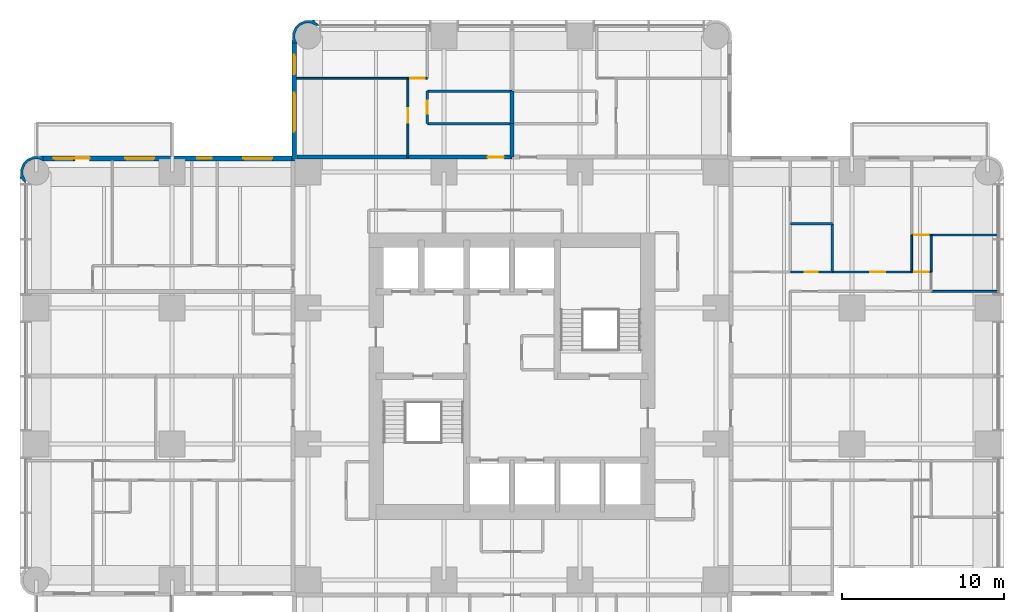
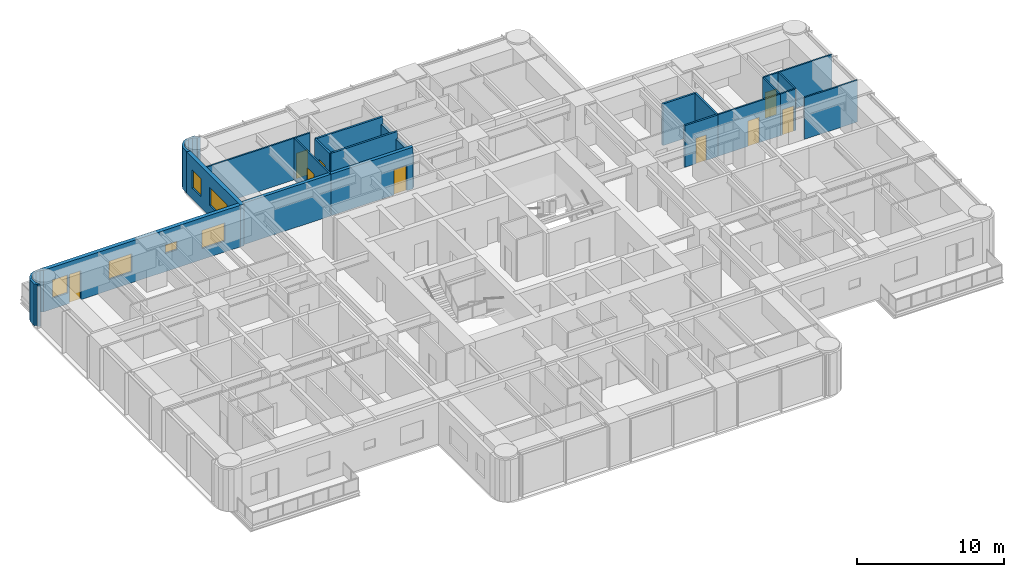
# One storey, part 11 of 15: 24 walls, 9 doors, 6 windows, 15 openings.
"""IFC4 building model written with IfcOpenShell, lengths in metres."""

import ifcopenshell
import ifcopenshell.guid

model = None  # the IFC model being written
_history = None  # IfcOwnerHistory: only IFC2X3 demands one
_inside = {}  # id of a spatial element -> (the spatial element, [elements in it])
_under = {}  # id of a project, library or spatial element -> (it, [spatial elements below it])
_declared = {}  # id of a project -> (the project, [libraries it declares])
_typed = {}  # id of a type object -> (the type object, [elements of that type])
_made_of = {}  # id of a material, layer set ... -> (it, [elements and type objects made of it])


def new_model(schema):
    """Start an empty IFC model of exactly this schema.

    Asked for "IFC4X3", IfcOpenShell would pick the latest addendum, in which some entities
    have other attributes; the version numbers below select the first issue.
    IFC2X3 requires an IfcOwnerHistory on every rooted entity: one is made here for all.
    """
    global model, _history
    if schema == "IFC4X3":
        model = ifcopenshell.file(schema_version=(4, 3, 0, 0))
    else:
        model = ifcopenshell.file(schema=schema)
    _inside.clear()
    _under.clear()
    _declared.clear()
    _typed.clear()
    _made_of.clear()
    _history = None
    if model.schema == "IFC2X3":
        org = make("IfcOrganization", Name="unknown")
        user = make(
            "IfcPersonAndOrganization",
            ThePerson=make("IfcPerson", FamilyName="unknown"),
            TheOrganization=org,
        )
        app = make(
            "IfcApplication",
            ApplicationDeveloper=org,
            Version="unknown",
            ApplicationFullName="unknown",
            ApplicationIdentifier="unknown",
        )
        _history = make(
            "IfcOwnerHistory",
            OwningUser=user,
            OwningApplication=app,
            ChangeAction="ADDED",
            CreationDate=0,
        )
    return model


def make(cls, **values):
    """One entity of the class cls with the attributes given. An attribute that is None is left unset."""
    return model.create_entity(
        cls, **{name: value for name, value in values.items() if value is not None}
    )


def rooted(cls, **values):
    """An entity with a GlobalId (a new one), such as an element, a storey or a relation."""
    return make(cls, GlobalId=ifcopenshell.guid.new(), OwnerHistory=_history, **values)


def si_unit(unit_type, name, prefix=None):
    """IfcSIUnit, for example si_unit("LENGTHUNIT", "METRE", prefix="MILLI")."""
    return make("IfcSIUnit", UnitType=unit_type, Prefix=prefix, Name=name)


def assignment(units):
    """IfcUnitAssignment: the units of a project."""
    return None if units is None else make("IfcUnitAssignment", Units=units)


def point(xyz):
    """IfcCartesianPoint."""
    return None if xyz is None else make("IfcCartesianPoint", Coordinates=xyz)


def direction(xyz):
    """IfcDirection."""
    return None if xyz is None else make("IfcDirection", DirectionRatios=xyz)


def frame(location, z_axis=None, x_axis=None):
    """IfcAxis2Placement3D, a coordinate frame: its origin and axes. An axis left out is left unset."""
    return make(
        "IfcAxis2Placement3D",
        Location=point(location),
        Axis=direction(z_axis),
        RefDirection=direction(x_axis),
    )


def frame_2d(location, x_axis=None):
    """IfcAxis2Placement2D, a coordinate frame in the plane: its origin and x axis."""
    return make(
        "IfcAxis2Placement2D", Location=point(location), RefDirection=direction(x_axis)
    )


def origin():
    """The frame at (0, 0, 0) with its axes left unset."""
    return frame((0.0, 0.0, 0.0))


def place(relative_to, where):
    """IfcLocalPlacement: puts the frame where relative to a parent placement (None: the world)."""
    return make(
        "IfcLocalPlacement", PlacementRelTo=relative_to, RelativePlacement=where
    )


def context(
    kind, dimensions, precision=None, world=None, true_north=None, identifier=None
):
    """IfcGeometricRepresentationContext, for example the 3D "Model" context."""
    return make(
        "IfcGeometricRepresentationContext",
        ContextIdentifier=identifier,
        ContextType=kind,
        CoordinateSpaceDimension=dimensions,
        Precision=precision,
        WorldCoordinateSystem=world,
        TrueNorth=true_north,
    )


def subcontext(parent, identifier, kind, view, scale=None):
    """IfcGeometricRepresentationSubContext, for example "Body" below "Model"."""
    return make(
        "IfcGeometricRepresentationSubContext",
        ContextIdentifier=identifier,
        ContextType=kind,
        ParentContext=parent,
        TargetScale=scale,
        TargetView=view,
    )


def project(units=None, contexts=None):
    """IfcProject with its units and contexts."""
    return rooted(
        "IfcProject",
        Name="project",
        RepresentationContexts=contexts,
        UnitsInContext=assignment(units),
    )


def spatial(cls, under=None, at=None, **own):
    """A site, building, storey or space (cls), placed at a placement, below another one or the project."""
    s = rooted(cls, ObjectPlacement=at, **own)
    if under is not None:
        _under.setdefault(under.id(), (under, []))[1].append(s)
    return s


def polyline(points):
    """IfcPolyline through the points."""
    return make("IfcPolyline", Points=[point(p) for p in points])


def profile(cls, at=None, kind="AREA", **sizes):
    """A parametric profile (cls). Its sizes go by their IFC names, for example OverallWidth=200.0."""
    return make(cls, ProfileType=kind, Position=at, **sizes)


def rectangle(**sizes):
    """IfcRectangleProfileDef."""
    return profile("IfcRectangleProfileDef", **sizes)


def outline(outer, holes=None, kind="AREA"):
    """IfcArbitraryClosedProfileDef: a profile drawn as a closed curve; with holes, ...WithVoids."""
    if holes is None:
        return make("IfcArbitraryClosedProfileDef", ProfileType=kind, OuterCurve=outer)
    return make(
        "IfcArbitraryProfileDefWithVoids",
        ProfileType=kind,
        OuterCurve=outer,
        InnerCurves=holes,
    )


def extrude(swept, where, along, depth):
    """IfcExtrudedAreaSolid: the profile swept, set in the frame where, extruded along a direction by depth."""
    return make(
        "IfcExtrudedAreaSolid",
        SweptArea=swept,
        Position=where,
        ExtrudedDirection=direction(along),
        Depth=depth,
    )


def shape(context_of_items, identifier, shape_type, items):
    """IfcShapeRepresentation: the items that make up one representation, for example the "Body"."""
    return make(
        "IfcShapeRepresentation",
        ContextOfItems=context_of_items,
        RepresentationIdentifier=identifier,
        RepresentationType=shape_type,
        Items=items,
    )


def material(Name=None, Category=None):
    """IfcMaterial."""
    return make("IfcMaterial", Name=Name, Category=Category)


def layer(
    of_material, thickness, ventilated=None, Name=None, Category=None, Priority=None
):
    """IfcMaterialLayer: one layer of a wall or slab, of a material (None: an air gap)."""
    return make(
        "IfcMaterialLayer",
        Material=of_material,
        LayerThickness=thickness,
        IsVentilated=ventilated,
        Name=Name,
        Category=Category,
        Priority=Priority,
    )


def layer_set(layers, Name=None):
    """IfcMaterialLayerSet."""
    return make("IfcMaterialLayerSet", MaterialLayers=layers, LayerSetName=Name)


def made_of(thing, what):
    """Note that an element or type object is made of a material, layer set ...; save() writes the relation."""
    if what is not None:
        _made_of.setdefault(what.id(), (what, []))[1].append(thing)
    return thing


def type_object(cls, material=None, **own):
    """A type object (cls), such as IfcWallType, which elements share."""
    return made_of(rooted(cls, **own), material)


def element(
    cls,
    number,
    at=None,
    inside=None,
    cuts=None,
    type_object=None,
    material=None,
    context=None,
    identifier="Body",
    shape_type=None,
    held_by="IfcProductDefinitionShape",
    body=None,
    shapes=None,
    **own,
):
    """One element of the class cls, such as IfcWall. Its Tag is "e" and its number.

    at: its placement. inside: the storey or other place that contains it. cuts: it is an
    opening in that element (IfcRelVoidsElement). A single representation is given by context,
    identifier, shape_type and body (its items); several are given by shapes. held_by: the class
    of the entity that holds the representations. save() writes the other relations.
    """
    e = rooted(cls, Tag="e%d" % number, ObjectPlacement=at, **own)
    if body is not None:
        shapes = [shape(context, identifier, shape_type, body)]
    if shapes is not None:
        e.Representation = make(held_by, Representations=shapes)
    if inside is not None:
        _inside.setdefault(inside.id(), (inside, []))[1].append(e)
    if cuts is not None:
        rooted(
            "IfcRelVoidsElement", RelatingBuildingElement=cuts, RelatedOpeningElement=e
        )
    if type_object is not None:
        _typed.setdefault(type_object.id(), (type_object, []))[1].append(e)
    return made_of(e, material)


def fill(opening, filler):
    """IfcRelFillsElement: the door or window that sits in an opening."""
    return rooted(
        "IfcRelFillsElement",
        RelatingOpeningElement=opening,
        RelatedBuildingElement=filler,
    )


def aggregate(whole, parts):
    """IfcRelAggregates: a whole, such as a stair, and the parts it consists of."""
    return rooted("IfcRelAggregates", RelatingObject=whole, RelatedObjects=parts)


def save(model, path):
    """Write the relations noted so far, then the file.

    IfcRelAggregates (storeys below a building ...), IfcRelContainedInSpatialStructure (elements
    in a storey), IfcRelDefinesByType, IfcRelAssociatesMaterial and IfcRelDeclares: one each for
    every whole, place, type object, material and project.
    """
    for whole, parts in _under.values():
        aggregate(whole, parts)
    for where, things in _inside.values():
        rooted(
            "IfcRelContainedInSpatialStructure",
            RelatedElements=things,
            RelatingStructure=where,
        )
    for kind, things in _typed.values():
        rooted("IfcRelDefinesByType", RelatedObjects=things, RelatingType=kind)
    for what, things in _made_of.values():
        rooted("IfcRelAssociatesMaterial", RelatedObjects=things, RelatingMaterial=what)
    for by, libraries in _declared.values():
        rooted("IfcRelDeclares", RelatingContext=by, RelatedDefinitions=libraries)
    model.write(path)


model = new_model("IFC4")

# Units and contexts
model_context = context("Model", 3, precision=1e-05, world=origin(), true_north=direction((0.0, 1.0)))
body_context = subcontext(model_context, "Body", "Model", "MODEL_VIEW")
ifc_project = project(units=[si_unit("LENGTHUNIT", "METRE"), si_unit("AREAUNIT", "SQUARE_METRE"), si_unit("VOLUMEUNIT", "CUBIC_METRE"), si_unit("PLANEANGLEUNIT", "RADIAN"), si_unit("MASSUNIT", "GRAM", prefix="KILO")], contexts=[model_context])

# Site, building, storey
site_placement = place(None, origin())
site = spatial("IfcSite", under=ifc_project, at=site_placement, CompositionType="ELEMENT")
building_placement = place(site_placement, origin())
building = spatial("IfcBuilding", under=site, at=building_placement, Name="Torre Alcanfor", CompositionType="ELEMENT")
storey_placement = place(building_placement, frame((0.0, 0.0, 123.300048828125)))
storey = spatial("IfcBuildingStorey", under=building, at=storey_placement, Name="L31", CompositionType="ELEMENT", Elevation=123.300048828125)

# Wall, opening, door
ifc_material_1 = material(Name="Concrete block masonry, hollow blocks NMX-C-404 9 MPa", Category="masonry")
ifc_layer_1 = layer(ifc_material_1, 0.25)
ifc_layer_set_1 = layer_set([ifc_layer_1], Name="Apartment entrance wall 250 EI 60")
wall_type_1 = type_object("IfcWallType", Name="Apartment entrance wall 250 EI 60", PredefinedType="PARTITIONING", material=ifc_layer_set_1)
wall_1_placement = place(storey_placement, frame((22.970947265625, 42.925048828125, 0.0), z_axis=(0.0, 0.0, 1.0), x_axis=(1.0, 0.0, 0.0)))
wall_1 = element("IfcWall", 1, at=wall_1_placement, inside=storey, type_object=wall_type_1, Name="Partition L31-CORR / L31-N1-LIVING", PredefinedType="PARTITIONING", context=body_context, shape_type="SweptSolid", body=[
    extrude(rectangle(XDim=6.428955078125, YDim=0.25, at=frame_2d((3.21435546875, 0.0))), origin(), (0.0, 0.0, 1.0), 3.449951171875),
])
opening_1_placement = place(wall_1_placement, frame((4.928955078125, 0.0, 0.0)))
opening_1 = element("IfcOpeningElement", 2, at=opening_1_placement, cuts=wall_1, Name="Opening D-A1", PredefinedType="OPENING", context=body_context, shape_type="SweptSolid", body=[
    extrude(rectangle(XDim=1.0, YDim=2.10009765625, at=frame_2d((0.5, 1.050048828125))), frame((0.0, 0.135009765625, 0.0), z_axis=(0.0, -1.0, 0.0), x_axis=(1.0, 0.0, 0.0)), (0.0, 0.0, 1.0), 0.27001953125),
])
ifc_material_2 = material(Name="Galvanised steel sheet ASTM A653", Category="steel")
door_type_1 = type_object("IfcDoorType", Name="Apartment entrance door FD60 1000x2100", OperationType="SINGLE_SWING_LEFT", PredefinedType="DOOR", material=ifc_material_2)
door_1_placement = place(opening_1_placement, origin())
door_1 = element("IfcDoor", 3, at=door_1_placement, inside=storey, type_object=door_type_1, Name="Apartment entrance L31-N1", OperationType="SINGLE_SWING_RIGHT", OverallHeight=2.10009765625, OverallWidth=1.0, PredefinedType="DOOR", context=body_context, shape_type="SweptSolid", body=[
    extrude(rectangle(XDim=1.0, YDim=2.10009765625, at=frame_2d((0.5, 1.050048828125))), frame((0.0, 0.02490234375, 0.0), z_axis=(0.0, -1.0, 0.0), x_axis=(1.0, 0.0, 0.0)), (0.0, 0.0, 1.0), 0.050048828125),
])
fill(opening_1, door_1)

# Wall
wall_2_placement = place(storey_placement, frame((16.10009765625, 42.925048828125, 0.0), z_axis=(0.0, 0.0, 1.0), x_axis=(1.0, 0.0, 0.0)))
element("IfcWall", 4, at=wall_2_placement, inside=storey, type_object=wall_type_1, Name="Partition L31-CORR / L31-N1-BED2", PredefinedType="PARTITIONING", context=body_context, shape_type="SweptSolid", body=[
    extrude(rectangle(XDim=6.870849609375, YDim=0.25, at=frame_2d((3.435546875, 0.0))), origin(), (0.0, 0.0, 1.0), 3.449951171875),
])

# Wall, opening, door
ifc_material_3 = material(Name="Gypsum board on steel studs", Category="steel")
ifc_layer_2 = layer(ifc_material_3, 0.1201171875)
ifc_layer_set_2 = layer_set([ifc_layer_2], Name="Apartment partition 120")
wall_type_2 = type_object("IfcWallType", Name="Apartment partition 120", PredefinedType="PARTITIONING", material=ifc_layer_set_2)
wall_3_placement = place(storey_placement, frame((22.970947265625, 42.925048828125, 0.0), z_axis=(0.0, 0.0, 1.0), x_axis=(0.0, 1.0, 0.0)))
wall_3 = element("IfcWall", 5, at=wall_3_placement, inside=storey, type_object=wall_type_2, Name="Partition L31-N1-LIVING / L31-N1-BED2", PredefinedType="PARTITIONING", context=body_context, shape_type="SweptSolid", body=[
    extrude(rectangle(XDim=4.875, YDim=0.1201171875, at=frame_2d((2.4375, 0.0))), origin(), (0.0, 0.0, 1.0), 3.449951171875),
])
opening_2_placement = place(wall_3_placement, frame((2.125, 0.0, 0.0)))
opening_2 = element("IfcOpeningElement", 6, at=opening_2_placement, cuts=wall_3, Name="Opening D-R1", PredefinedType="OPENING", context=body_context, shape_type="SweptSolid", body=[
    extrude(rectangle(XDim=0.89990234375, YDim=2.10009765625, at=frame_2d((0.449951171875, 1.050048828125))), frame((0.0, 0.070068359375, 0.0), z_axis=(0.0, -1.0, 0.0), x_axis=(1.0, 0.0, 0.0)), (0.0, 0.0, 1.0), 0.14013671875),
])
ifc_material_4 = material(Name="Timber", Category="wood")
door_type_2 = type_object("IfcDoorType", Name="Internal door 900x2100", OperationType="SINGLE_SWING_LEFT", PredefinedType="DOOR", material=ifc_material_4)
door_2_placement = place(opening_2_placement, origin())
door_2 = element("IfcDoor", 7, at=door_2_placement, inside=storey, type_object=door_type_2, Name="Door L31-N1 bed2", OperationType="SINGLE_SWING_RIGHT", OverallHeight=2.10009765625, OverallWidth=0.89990234375, PredefinedType="DOOR", context=body_context, shape_type="SweptSolid", body=[
    extrude(rectangle(XDim=0.89990234375, YDim=2.10009765625, at=frame_2d((0.449951171875, 1.050048828125))), frame((0.0, 0.02490234375, 0.0), z_axis=(0.0, -1.0, 0.0), x_axis=(1.0, 0.0, 0.0)), (0.0, 0.0, 1.0), 0.050048828125),
])
fill(opening_2, door_2)

wall_4_placement = place(storey_placement, frame((22.970947265625, 47.800048828125, 0.0), z_axis=(0.0, 0.0, 1.0), x_axis=(1.0, 0.0, 0.0)))
wall_4 = element("IfcWall", 8, at=wall_4_placement, inside=storey, type_object=wall_type_2, Name="Partition L31-N1-LIVING / L31-N1-MASTER", PredefinedType="PARTITIONING", context=body_context, shape_type="SweptSolid", body=[
    extrude(rectangle(XDim=1.199951171875, YDim=0.1201171875, at=frame_2d((0.60009765625, 0.0))), origin(), (0.0, 0.0, 1.0), 3.449951171875),
])
opening_3_placement = place(wall_4_placement, frame((0.14892578125, 0.0, 0.0)))
opening_3 = element("IfcOpeningElement", 9, at=opening_3_placement, cuts=wall_4, Name="Opening D-R1", PredefinedType="OPENING", context=body_context, shape_type="SweptSolid", body=[
    extrude(rectangle(XDim=0.89990234375, YDim=2.10009765625, at=frame_2d((0.449951171875, 1.050048828125))), frame((0.0, 0.070068359375, 0.0), z_axis=(0.0, -1.0, 0.0), x_axis=(1.0, 0.0, 0.0)), (0.0, 0.0, 1.0), 0.14013671875),
])
door_3_placement = place(opening_3_placement, origin())
door_3 = element("IfcDoor", 10, at=door_3_placement, inside=storey, type_object=door_type_2, Name="Door L31-N1 master", OperationType="SINGLE_SWING_RIGHT", OverallHeight=2.10009765625, OverallWidth=0.89990234375, PredefinedType="DOOR", context=body_context, shape_type="SweptSolid", body=[
    extrude(rectangle(XDim=0.89990234375, YDim=2.10009765625, at=frame_2d((0.449951171875, 1.050048828125))), frame((0.0, 0.02490234375, 0.0), z_axis=(0.0, -1.0, 0.0), x_axis=(1.0, 0.0, 0.0)), (0.0, 0.0, 1.0), 0.050048828125),
])
fill(opening_3, door_3)

# Walls
wall_5_placement = place(storey_placement, frame((22.970947265625, 47.800048828125, 0.0), z_axis=(0.0, 0.0, 1.0), x_axis=(-1.0, 0.0, 0.0)))
element("IfcWall", 11, at=wall_5_placement, inside=storey, type_object=wall_type_2, Name="Partition L31-N1-BED2 / L31-N1-MASTER", PredefinedType="PARTITIONING", context=body_context, shape_type="SweptSolid", body=[
    extrude(rectangle(XDim=6.870849609375, YDim=0.1201171875, at=frame_2d((3.435546875, 0.0))), origin(), (0.0, 0.0, 1.0), 3.449951171875),
])
wall_6_placement = place(storey_placement, frame((59.449951171875, 34.62890625, 0.0), z_axis=(0.0, 0.0, 1.0), x_axis=(-1.0, 0.0, 0.0)))
element("IfcWall", 12, at=wall_6_placement, inside=storey, type_object=wall_type_2, Name="Partition L31-E1-LIVING / L31-E1-BED2", PredefinedType="PARTITIONING", context=body_context, shape_type="SweptSolid", body=[
    extrude(rectangle(XDim=4.14990234375, YDim=0.1201171875, at=frame_2d((2.074951171875, 0.0))), origin(), (0.0, 0.0, 1.0), 3.449951171875),
])

# Wall, opening, door
wall_7_placement = place(storey_placement, frame((54.10009765625, 35.8291015625, 0.0), z_axis=(0.0, 0.0, 1.0), x_axis=(-1.0, 0.0, 0.0)))
wall_7 = element("IfcWall", 13, at=wall_7_placement, inside=storey, type_object=wall_type_2, Name="Partition L31-E1-HALL / L31-E1-BED3", PredefinedType="PARTITIONING", context=body_context, shape_type="SweptSolid", body=[
    extrude(rectangle(XDim=4.900146484375, YDim=0.1201171875, at=frame_2d((2.4501953125, 0.0))), origin(), (0.0, 0.0, 1.0), 3.449951171875),
])
opening_4_placement = place(wall_7_placement, frame((1.64990234375, 0.0, 0.0)))
opening_4 = element("IfcOpeningElement", 14, at=opening_4_placement, cuts=wall_7, Name="Opening D-R1", PredefinedType="OPENING", context=body_context, shape_type="SweptSolid", body=[
    extrude(rectangle(XDim=0.89990234375, YDim=2.10009765625, at=frame_2d((0.449951171875, 1.050048828125))), frame((0.0, 0.070068359375, 0.0), z_axis=(0.0, -1.0, 0.0), x_axis=(1.0, 0.0, 0.0)), (0.0, 0.0, 1.0), 0.14013671875),
])
door_4_placement = place(opening_4_placement, frame((0.89990234375, 0.0, 0.0), z_axis=(0.0, 0.0, 1.0), x_axis=(-1.0, 0.0, 0.0)))
door_4 = element("IfcDoor", 15, at=door_4_placement, inside=storey, type_object=door_type_2, Name="Door L31-E1 bed3", OperationType="SINGLE_SWING_RIGHT", OverallHeight=2.10009765625, OverallWidth=0.89990234375, PredefinedType="DOOR", context=body_context, shape_type="SweptSolid", body=[
    extrude(rectangle(XDim=0.89990234375, YDim=2.10009765625, at=frame_2d((0.449951171875, 1.050048828125))), frame((0.0, 0.025146484375, 0.0), z_axis=(0.0, -1.0, 0.0), x_axis=(1.0, 0.0, 0.0)), (0.0, 0.0, 1.0), 0.050048828125),
])
fill(opening_4, door_4)

wall_8_placement = place(storey_placement, frame((55.300048828125, 35.8291015625, 0.0), z_axis=(0.0, 0.0, 1.0), x_axis=(-1.0, 0.0, 0.0)))
wall_8 = element("IfcWall", 16, at=wall_8_placement, inside=storey, type_object=wall_type_2, Name="Partition L31-E1-HALL / L31-E1-VEST", PredefinedType="PARTITIONING", context=body_context, shape_type="SweptSolid", body=[
    extrude(rectangle(XDim=1.199951171875, YDim=0.1201171875, at=frame_2d((0.60009765625, 0.0))), origin(), (0.0, 0.0, 1.0), 3.449951171875),
])
opening_5_placement = place(wall_8_placement, frame((0.14990234375, 0.0, 0.0)))
opening_5 = element("IfcOpeningElement", 17, at=opening_5_placement, cuts=wall_8, Name="Opening D-R1", PredefinedType="OPENING", context=body_context, shape_type="SweptSolid", body=[
    extrude(rectangle(XDim=0.89990234375, YDim=2.10009765625, at=frame_2d((0.449951171875, 1.050048828125))), frame((0.0, 0.070068359375, 0.0), z_axis=(0.0, -1.0, 0.0), x_axis=(1.0, 0.0, 0.0)), (0.0, 0.0, 1.0), 0.14013671875),
])
door_5_placement = place(opening_5_placement, frame((0.89990234375, 0.0, 0.0), z_axis=(0.0, 0.0, 1.0), x_axis=(-1.0, 0.0, 0.0)))
door_5 = element("IfcDoor", 18, at=door_5_placement, inside=storey, type_object=door_type_2, Name="Door L31-E1 vest", OperationType="SINGLE_SWING_RIGHT", OverallHeight=2.10009765625, OverallWidth=0.89990234375, PredefinedType="DOOR", context=body_context, shape_type="SweptSolid", body=[
    extrude(rectangle(XDim=0.89990234375, YDim=2.10009765625, at=frame_2d((0.449951171875, 1.050048828125))), frame((0.0, 0.025146484375, 0.0), z_axis=(0.0, -1.0, 0.0), x_axis=(1.0, 0.0, 0.0)), (0.0, 0.0, 1.0), 0.050048828125),
])
fill(opening_5, door_5)

# Walls
for number, where, z_axis, x_axis, name in (
    (19, (54.10009765625, 35.8291015625, 0.0), (0.0, 0.0, 1.0), (0.0, 1.0, 0.0), "Partition L31-E1-BED3 / L31-E1-VEST"),
    (20, (55.300048828125, 35.8291015625, 0.0), (0.0, 0.0, 1.0), (0.0, 1.0, 0.0), "Partition L31-E1-VEST / L31-E1-BED2"),
):
    element("IfcWall", number, at=place(storey_placement, frame(where, z_axis=z_axis, x_axis=x_axis)), inside=storey, type_object=wall_type_2, Name=name, PredefinedType="PARTITIONING", context=body_context, shape_type="SweptSolid", body=[
        extrude(rectangle(XDim=2.284912109375, YDim=0.1201171875, at=frame_2d((1.142578125, 0.0))), origin(), (0.0, 0.0, 1.0), 3.449951171875),
    ])

# Wall, opening, door
wall_9_placement = place(storey_placement, frame((55.300048828125, 38.114013671875, 0.0), z_axis=(0.0, 0.0, 1.0), x_axis=(-1.0, 0.0, 0.0)))
wall_9 = element("IfcWall", 21, at=wall_9_placement, inside=storey, type_object=wall_type_2, Name="Partition L31-E1-VEST / L31-E1-MASTER", PredefinedType="PARTITIONING", context=body_context, shape_type="SweptSolid", body=[
    extrude(rectangle(XDim=1.199951171875, YDim=0.1201171875, at=frame_2d((0.60009765625, 0.0))), origin(), (0.0, 0.0, 1.0), 3.449951171875),
])
opening_6_placement = place(wall_9_placement, frame((0.14990234375, 0.0, 0.0)))
opening_6 = element("IfcOpeningElement", 22, at=opening_6_placement, cuts=wall_9, Name="Opening D-R1", PredefinedType="OPENING", context=body_context, shape_type="SweptSolid", body=[
    extrude(rectangle(XDim=0.89990234375, YDim=2.10009765625, at=frame_2d((0.449951171875, 1.050048828125))), frame((0.0, 0.070068359375, 0.0), z_axis=(0.0, -1.0, 0.0), x_axis=(1.0, 0.0, 0.0)), (0.0, 0.0, 1.0), 0.14013671875),
])
door_6_placement = place(opening_6_placement, origin())
door_6 = element("IfcDoor", 23, at=door_6_placement, inside=storey, type_object=door_type_2, Name="Door L31-E1 master", OperationType="SINGLE_SWING_LEFT", OverallHeight=2.10009765625, OverallWidth=0.89990234375, PredefinedType="DOOR", context=body_context, shape_type="SweptSolid", body=[
    extrude(rectangle(XDim=0.89990234375, YDim=2.10009765625, at=frame_2d((0.449951171875, 1.050048828125))), frame((0.0, 0.02490234375, 0.0), z_axis=(0.0, -1.0, 0.0), x_axis=(1.0, 0.0, 0.0)), (0.0, 0.0, 1.0), 0.050048828125),
])
fill(opening_6, door_6)

# Wall
wall_10_placement = place(storey_placement, frame((59.449951171875, 38.114013671875, 0.0), z_axis=(0.0, 0.0, 1.0), x_axis=(-1.0, 0.0, 0.0)))
element("IfcWall", 24, at=wall_10_placement, inside=storey, type_object=wall_type_2, Name="Partition L31-E1-BED2 / L31-E1-MASTER", PredefinedType="PARTITIONING", context=body_context, shape_type="SweptSolid", body=[
    extrude(rectangle(XDim=4.14990234375, YDim=0.1201171875, at=frame_2d((2.074951171875, 0.0))), origin(), (0.0, 0.0, 1.0), 3.449951171875),
])

# Wall, openings, door, windows
ifc_material_5 = material(Name="Limestone cladding", Category="masonry")
ifc_layer_3 = layer(ifc_material_5, 0.0400390625, Name="Facing")
ifc_material_6 = material(Name="Ventilated air cavity")
ifc_layer_4 = layer(ifc_material_6, 0.02001953125, ventilated=True, Name="Ventilated joint")
ifc_material_7 = material(Name="Mineral wool insulation", Category="insulation")
ifc_layer_5 = layer(ifc_material_7, 0.10009765625, Name="Insulation")
ifc_material_8 = material(Name="Concrete f'c 35 MPa", Category="concrete")
ifc_layer_6 = layer(ifc_material_8, 0.139892578125, Name="Backing")
ifc_layer_set_3 = layer_set([ifc_layer_3, ifc_layer_4, ifc_layer_5, ifc_layer_6], Name="External wall stone-clad 300")
wall_type_3 = type_object("IfcWallType", Name="External wall stone-clad 300", PredefinedType="SOLIDWALL", material=ifc_layer_set_3)
wall_11_placement = place(storey_placement, frame((15.800048828125, 42.85009765625, 0.0), z_axis=(0.0, 0.0, 1.0), x_axis=(-1.0, 0.0, 0.0)))
wall_11 = element("IfcWall", 25, at=wall_11_placement, inside=storey, type_object=wall_type_3, Name="External wall L31 1", PredefinedType="SOLIDWALL", context=body_context, shape_type="SweptSolid", body=[
    extrude(rectangle(XDim=15.400146484375, YDim=0.300048828125, at=frame_2d((7.7001953125, 0.0))), origin(), (0.0, 0.0, 1.0), 3.449951171875),
])
opening_7_placement = place(wall_11_placement, frame((1.199951171875, 0.0, 0.89990234375)))
opening_7 = element("IfcOpeningElement", 26, at=opening_7_placement, cuts=wall_11, Name="Opening W2", PredefinedType="OPENING", context=body_context, shape_type="SweptSolid", body=[
    extrude(rectangle(XDim=1.800048828125, YDim=1.5, at=frame_2d((0.89990234375, 0.75))), frame((0.0, 0.159912109375, 0.0), z_axis=(0.0, -1.0, 0.0), x_axis=(1.0, 0.0, 0.0)), (0.0, 0.0, 1.0), 0.320068359375),
])
opening_8_placement = place(wall_11_placement, frame((4.949951171875, 0.0, 1.5)))
opening_8 = element("IfcOpeningElement", 27, at=opening_8_placement, cuts=wall_11, Name="Opening W3", PredefinedType="OPENING", context=body_context, shape_type="SweptSolid", body=[
    extrude(rectangle(XDim=0.89990234375, YDim=0.699951171875, at=frame_2d((0.449951171875, 0.35009765625))), frame((0.0, 0.159912109375, 0.0), z_axis=(0.0, -1.0, 0.0), x_axis=(1.0, 0.0, 0.0)), (0.0, 0.0, 1.0), 0.320068359375),
])
opening_9_placement = place(wall_11_placement, frame((8.5, 0.0, 0.89990234375)))
opening_9 = element("IfcOpeningElement", 28, at=opening_9_placement, cuts=wall_11, Name="Opening W2", PredefinedType="OPENING", context=body_context, shape_type="SweptSolid", body=[
    extrude(rectangle(XDim=1.800048828125, YDim=1.5, at=frame_2d((0.89990234375, 0.75))), frame((0.0, 0.159912109375, 0.0), z_axis=(0.0, -1.0, 0.0), x_axis=(1.0, 0.0, 0.0)), (0.0, 0.0, 1.0), 0.320068359375),
])
opening_10_placement = place(wall_11_placement, frame((12.5, 0.0, 0.0)))
opening_10 = element("IfcOpeningElement", 29, at=opening_10_placement, cuts=wall_11, Name="Opening D-B1", PredefinedType="OPENING", context=body_context, shape_type="SweptSolid", body=[
    extrude(rectangle(XDim=0.89990234375, YDim=2.39990234375, at=frame_2d((0.449951171875, 1.199951171875))), frame((0.0, 0.159912109375, 0.0), z_axis=(0.0, -1.0, 0.0), x_axis=(1.0, 0.0, 0.0)), (0.0, 0.0, 1.0), 0.320068359375),
])
opening_11_placement = place(wall_11_placement, frame((13.5, 0.0, 0.89990234375)))
opening_11 = element("IfcOpeningElement", 30, at=opening_11_placement, cuts=wall_11, Name="Opening W4", PredefinedType="OPENING", context=body_context, shape_type="SweptSolid", body=[
    extrude(rectangle(XDim=1.199951171875, YDim=1.5, at=frame_2d((0.60009765625, 0.75))), frame((0.0, 0.159912109375, 0.0), z_axis=(0.0, -1.0, 0.0), x_axis=(1.0, 0.0, 0.0)), (0.0, 0.0, 1.0), 0.320068359375),
])
ifc_material_9 = material(Name="Aluminium and glass", Category="aluminium")
door_type_3 = type_object("IfcDoorType", Name="Balcony door glazed 900x2400", OperationType="SINGLE_SWING_LEFT", PredefinedType="DOOR", material=ifc_material_9)
door_7_placement = place(opening_10_placement, origin())
door_7 = element("IfcDoor", 31, at=door_7_placement, inside=storey, type_object=door_type_3, Name="Balcony door L31-W2", OperationType="SINGLE_SWING_LEFT", OverallHeight=2.39990234375, OverallWidth=0.89990234375, PredefinedType="DOOR", context=body_context, shape_type="SweptSolid", body=[
    extrude(rectangle(XDim=0.89990234375, YDim=2.39990234375, at=frame_2d((0.449951171875, 1.199951171875))), frame((0.0, 0.02490234375, 0.0), z_axis=(0.0, -1.0, 0.0), x_axis=(1.0, 0.0, 0.0)), (0.0, 0.0, 1.0), 0.050048828125),
])
fill(opening_10, door_7)
ifc_material_10 = material(Name="Aluminium frame with clear double glazing", Category="aluminium")
window_type_1 = type_object("IfcWindowType", Name="Window bathroom 900x700", PartitioningType="SINGLE_PANEL", PredefinedType="WINDOW", material=ifc_material_10)
window_1_placement = place(opening_8_placement, origin())
window_1 = element("IfcWindow", 32, at=window_1_placement, inside=storey, type_object=window_type_1, Name="Window W3 L31-W2", OverallHeight=0.699951171875, OverallWidth=0.89990234375, PartitioningType="SINGLE_PANEL", PredefinedType="WINDOW", context=body_context, shape_type="SweptSolid", body=[
    extrude(rectangle(XDim=0.89990234375, YDim=0.699951171875, at=frame_2d((0.449951171875, 0.35009765625))), frame((0.0, 0.030029296875, 0.0), z_axis=(0.0, -1.0, 0.0), x_axis=(1.0, 0.0, 0.0)), (0.0, 0.0, 1.0), 0.06005859375),
])
fill(opening_8, window_1)
ifc_material_11 = material(Name="Aluminium frame with clear double glazing", Category="aluminium")
window_type_2 = type_object("IfcWindowType", Name="Window bedroom 1200x1500", PartitioningType="SINGLE_PANEL", PredefinedType="WINDOW", material=ifc_material_11)
window_2_placement = place(opening_11_placement, origin())
window_2 = element("IfcWindow", 33, at=window_2_placement, inside=storey, type_object=window_type_2, Name="Window W4 L31-W2", OverallHeight=1.5, OverallWidth=1.199951171875, PartitioningType="SINGLE_PANEL", PredefinedType="WINDOW", context=body_context, shape_type="SweptSolid", body=[
    extrude(rectangle(XDim=1.199951171875, YDim=1.5, at=frame_2d((0.60009765625, 0.75))), frame((0.0, 0.030029296875, 0.0), z_axis=(0.0, -1.0, 0.0), x_axis=(1.0, 0.0, 0.0)), (0.0, 0.0, 1.0), 0.06005859375),
])
fill(opening_11, window_2)
ifc_material_12 = material(Name="Aluminium frame with clear double glazing", Category="aluminium")
window_type_3 = type_object("IfcWindowType", Name="Window bedroom 1800x1500", PartitioningType="SINGLE_PANEL", PredefinedType="WINDOW", material=ifc_material_12)
window_3_placement = place(opening_7_placement, origin())
window_3 = element("IfcWindow", 34, at=window_3_placement, inside=storey, type_object=window_type_3, Name="Window W2 L31-W2", OverallHeight=1.5, OverallWidth=1.800048828125, PartitioningType="SINGLE_PANEL", PredefinedType="WINDOW", context=body_context, shape_type="SweptSolid", body=[
    extrude(rectangle(XDim=1.800048828125, YDim=1.5, at=frame_2d((0.89990234375, 0.75))), frame((0.0, 0.030029296875, 0.0), z_axis=(0.0, -1.0, 0.0), x_axis=(1.0, 0.0, 0.0)), (0.0, 0.0, 1.0), 0.06005859375),
])
fill(opening_7, window_3)
window_4_placement = place(opening_9_placement, origin())
window_4 = element("IfcWindow", 35, at=window_4_placement, inside=storey, type_object=window_type_3, Name="Window W2 L31-W2", OverallHeight=1.5, OverallWidth=1.800048828125, PartitioningType="SINGLE_PANEL", PredefinedType="WINDOW", context=body_context, shape_type="SweptSolid", body=[
    extrude(rectangle(XDim=1.800048828125, YDim=1.5, at=frame_2d((0.89990234375, 0.75))), frame((0.0, 0.030029296875, 0.0), z_axis=(0.0, -1.0, 0.0), x_axis=(1.0, 0.0, 0.0)), (0.0, 0.0, 1.0), 0.06005859375),
])
fill(opening_9, window_4)

# Wall, openings, windows
wall_12_placement = place(storey_placement, frame((15.949951171875, 50.0, 0.0), z_axis=(0.0, 0.0, 1.0), x_axis=(0.0, -1.0, 0.0)))
wall_12 = element("IfcWall", 36, at=wall_12_placement, inside=storey, type_object=wall_type_3, Name="External wall L31 12", PredefinedType="SOLIDWALL", context=body_context, shape_type="SweptSolid", body=[
    extrude(rectangle(XDim=7.300048828125, YDim=0.300048828125, at=frame_2d((3.64990234375, 0.0))), origin(), (0.0, 0.0, 1.0), 3.449951171875),
])
opening_12_placement = place(wall_12_placement, frame((3.10009765625, 0.0, 0.89990234375)))
opening_12 = element("IfcOpeningElement", 37, at=opening_12_placement, cuts=wall_12, Name="Opening W1", PredefinedType="OPENING", context=body_context, shape_type="SweptSolid", body=[
    extrude(rectangle(XDim=2.39990234375, YDim=1.5, at=frame_2d((1.199951171875, 0.75))), frame((0.0, 0.159912109375, 0.0), z_axis=(0.0, -1.0, 0.0), x_axis=(1.0, 0.0, 0.0)), (0.0, 0.0, 1.0), 0.320068359375),
])
opening_13_placement = place(wall_12_placement, frame((0.75, 0.0, 0.89990234375)))
opening_13 = element("IfcOpeningElement", 38, at=opening_13_placement, cuts=wall_12, Name="Opening W4", PredefinedType="OPENING", context=body_context, shape_type="SweptSolid", body=[
    extrude(rectangle(XDim=1.199951171875, YDim=1.5, at=frame_2d((0.60009765625, 0.75))), frame((0.0, 0.159912109375, 0.0), z_axis=(0.0, -1.0, 0.0), x_axis=(1.0, 0.0, 0.0)), (0.0, 0.0, 1.0), 0.320068359375),
])
window_5_placement = place(opening_13_placement, origin())
window_5 = element("IfcWindow", 39, at=window_5_placement, inside=storey, type_object=window_type_2, Name="Window W4 L31-N1", OverallHeight=1.5, OverallWidth=1.199951171875, PartitioningType="SINGLE_PANEL", PredefinedType="WINDOW", context=body_context, shape_type="SweptSolid", body=[
    extrude(rectangle(XDim=1.199951171875, YDim=1.5, at=frame_2d((0.60009765625, 0.75))), frame((0.0, 0.030029296875, 0.0), z_axis=(0.0, -1.0, 0.0), x_axis=(1.0, 0.0, 0.0)), (0.0, 0.0, 1.0), 0.06005859375),
])
fill(opening_13, window_5)
ifc_material_13 = material(Name="Aluminium frame with clear double glazing", Category="aluminium")
window_type_4 = type_object("IfcWindowType", Name="Window bedroom 2400x1500", PartitioningType="SINGLE_PANEL", PredefinedType="WINDOW", material=ifc_material_13)
window_6_placement = place(opening_12_placement, origin())
window_6 = element("IfcWindow", 40, at=window_6_placement, inside=storey, type_object=window_type_4, Name="Window W1 L31-N1", OverallHeight=1.5, OverallWidth=2.39990234375, PartitioningType="SINGLE_PANEL", PredefinedType="WINDOW", context=body_context, shape_type="SweptSolid", body=[
    extrude(rectangle(XDim=2.39990234375, YDim=1.5, at=frame_2d((1.199951171875, 0.75))), frame((0.0, 0.030029296875, 0.0), z_axis=(0.0, -1.0, 0.0), x_axis=(1.0, 0.0, 0.0)), (0.0, 0.0, 1.0), 0.06005859375),
])
fill(opening_12, window_6)

# Walls
ifc_material_14 = material(Name="Concrete block masonry, hollow blocks NMX-C-404 9 MPa", Category="masonry")
ifc_layer_7 = layer(ifc_material_14, 0.25)
ifc_layer_set_4 = layer_set([ifc_layer_7], Name="Party wall 250 EI 60")
wall_type_4 = type_object("IfcWallType", Name="Party wall 250 EI 60", PredefinedType="PARTITIONING", material=ifc_layer_set_4)
wall_13_placement = place(storey_placement, frame((29.39990234375, 45.0, 0.0), z_axis=(0.0, 0.0, 1.0), x_axis=(0.0, 1.0, 0.0)))
element("IfcWall", 41, at=wall_13_placement, inside=storey, type_object=wall_type_4, Name="Partition L31-N1-BATH / L31-N2-BATH", PredefinedType="PARTITIONING", context=body_context, shape_type="SweptSolid", body=[
    extrude(rectangle(XDim=2.0, YDim=0.25, at=frame_2d((1.0, 0.0))), origin(), (0.0, 0.0, 1.0), 2.847900390625),
])
wall_14_placement = place(storey_placement, frame((29.39990234375, 45.0, 0.0), z_axis=(0.0, 0.0, 1.0), x_axis=(0.0, -1.0, 0.0)))
element("IfcWall", 42, at=wall_14_placement, inside=storey, type_object=wall_type_4, Name="Partition L31-N1-LIVING / L31-N2-LIVING", PredefinedType="PARTITIONING", context=body_context, shape_type="SweptSolid", body=[
    extrude(rectangle(XDim=2.074951171875, YDim=0.25, at=frame_2d((1.03759765625, 0.0))), origin(), (0.0, 0.0, 1.0), 2.847900390625),
])
ifc_layer_8 = layer(ifc_material_5, 0.0400390625, Name="Facing")
ifc_layer_9 = layer(ifc_material_6, 0.02001953125, ventilated=True, Name="Ventilated joint")
ifc_layer_10 = layer(ifc_material_7, 0.10009765625, Name="Insulation")
ifc_layer_11 = layer(ifc_material_8, 0.139892578125, Name="Backing")
ifc_layer_set_5 = layer_set([ifc_layer_8, ifc_layer_9, ifc_layer_10, ifc_layer_11], Name="Rounded corner pier stone-clad 300")
wall_type_5 = type_object("IfcWallType", Name="Rounded corner pier stone-clad 300", PredefinedType="SOLIDWALL", material=ifc_layer_set_5)
wall_15_placement = place(storey_placement, frame((0.326823795, 42.817059488, 0.0), z_axis=(0.0, 0.0, 1.0), x_axis=(-0.93923434088, 0.343276641956, 0.0)))
element("IfcWall", 43, at=wall_15_placement, inside=storey, type_object=wall_type_5, Name="Corner pier L31 13", PredefinedType="SOLIDWALL", context=body_context, shape_type="SweptSolid", body=[
    extrude(outline(polyline([(-0.005838677930572508, -0.19691017002240385), (0.2656725893480827, -0.05504723679548061), (0.5353355739365452, 0.04351070532859805), (0.8164808166219237, 0.3019667887790936), (0.9774010351300944, 0.6482698031873169), (0.9936526519661447, 1.0298167590229048), (0.8950947098420661, 1.2994797436113674), (0.8284439015683875, 1.5984799607341533), (0.6967504599124257, 1.5690632792769885), (0.6041212101125378, 1.6695954267902182), (0.39402236502400456, 1.7672242392847775), (0.4711255170258348, 1.5562634010012864), (0.5086990809760941, 1.538803702790635), (0.7241945805605172, 1.30408163961566), (0.8334799177457201, 1.0050675818747117), (0.8201287688443563, 0.6867053603325339), (0.6856890926223405, 0.3973889179155373), (0.4509670294473655, 0.1818934183311141), (0.15195297170641725, 0.07260808114591123), (-0.11630424425966698, 0.08399689688883538), (-0.12741215805145528, 0.07811756360614214), (-0.14598588403076265, 0.07132913391902448), (-0.005838677930572508, -0.19691017002240385)])), origin(), (0.0, 0.0, 1.0), 3.449951171875),
])
wall_16_placement = place(storey_placement, frame((17.448071802, 50.995317512, 0.0), z_axis=(0.0, 0.0, 1.0), x_axis=(-0.343276641956, 0.93923434088, 0.0)))
element("IfcWall", 44, at=wall_16_placement, inside=storey, type_object=wall_type_5, Name="Corner pier L31 20", PredefinedType="SOLIDWALL", context=body_context, shape_type="SweptSolid", body=[
    extrude(outline(polyline([(0.24108059829103723, 0.022959620234629247), (0.3334805428319213, 0.12357557552177408), (0.4651739844878831, 0.09415889406460926), (0.5320540980205655, 0.3930753034134802), (0.6306958479185591, 0.6629675932609465), (0.6144442310825087, 1.0445145490965344), (0.4535240125743382, 1.3908175635047577), (0.17229496211504458, 1.6490443416962495), (-0.0975973277324218, 1.7476860915942432), (-0.36910859501107685, 1.8895490248211664), (-0.5092558011112671, 1.6213097208797382), (-0.4906820751319597, 1.6145212911926206), (-0.47934485608116756, 1.6085581501360122), (-0.21131694537408713, 1.6200307736528514), (0.0879264176258649, 1.5106616286937335), (0.32264848080083985, 1.2951661291093102), (0.4569426595377669, 1.0061627997252323), (0.4702938084391308, 0.6878005781830546), (0.3609246634800129, 0.3885572151831026), (0.1454291638955897, 0.15383515200812764), (0.10816871297824923, 0.136520951282565), (0.030981753202503952, -0.0746691922599299), (0.24108059829103723, 0.022959620234629247)])), origin(), (0.0, 0.0, 1.0), 3.449951171875),
])
ifc_material_15 = material(Name="Cement board on steel studs", Category="steel")
ifc_layer_12 = layer(ifc_material_15, 0.14990234375)
ifc_layer_set_6 = layer_set([ifc_layer_12], Name="Wet area partition 150")
wall_type_6 = type_object("IfcWallType", Name="Wet area partition 150", PredefinedType="PARTITIONING", material=ifc_layer_set_6)
wall_17_placement = place(storey_placement, frame((29.39990234375, 47.0, 0.0), z_axis=(0.0, 0.0, 1.0), x_axis=(-1.0, 0.0, 0.0)))
element("IfcWall", 45, at=wall_17_placement, inside=storey, type_object=wall_type_6, Name="Partition L31-N1-BATH / L31-N1-LIVING", PredefinedType="PARTITIONING", context=body_context, shape_type="SweptSolid", body=[
    extrude(rectangle(XDim=5.22900390625, YDim=0.14990234375, at=frame_2d((2.614501953125, 0.0))), origin(), (0.0, 0.0, 1.0), 3.449951171875),
])

# Wall, opening, door
wall_18_placement = place(storey_placement, frame((24.1708984375, 47.0, 0.0), z_axis=(0.0, 0.0, 1.0), x_axis=(0.0, -1.0, 0.0)))
wall_18 = element("IfcWall", 46, at=wall_18_placement, inside=storey, type_object=wall_type_6, Name="Partition L31-N1-BATH / L31-N1-LIVING", PredefinedType="PARTITIONING", context=body_context, shape_type="SweptSolid", body=[
    extrude(rectangle(XDim=2.0, YDim=0.14990234375, at=frame_2d((1.0, 0.0))), origin(), (0.0, 0.0, 1.0), 3.449951171875),
])
opening_14_placement = place(wall_18_placement, frame((0.60009765625, 0.0, 0.0)))
opening_14 = element("IfcOpeningElement", 47, at=opening_14_placement, cuts=wall_18, Name="Opening D-R2", PredefinedType="OPENING", context=body_context, shape_type="SweptSolid", body=[
    extrude(rectangle(XDim=0.800048828125, YDim=2.10009765625, at=frame_2d((0.39990234375, 1.050048828125))), frame((0.0, 0.0849609375, 0.0), z_axis=(0.0, -1.0, 0.0), x_axis=(1.0, 0.0, 0.0)), (0.0, 0.0, 1.0), 0.169921875),
])
ifc_material_16 = material(Name="Timber", Category="wood")
door_type_4 = type_object("IfcDoorType", Name="Bathroom door 800x2100", OperationType="SINGLE_SWING_LEFT", PredefinedType="DOOR", material=ifc_material_16)
door_8_placement = place(opening_14_placement, origin())
door_8 = element("IfcDoor", 48, at=door_8_placement, inside=storey, type_object=door_type_4, Name="Door L31-N1 bath", OperationType="SINGLE_SWING_LEFT", OverallHeight=2.10009765625, OverallWidth=0.800048828125, PredefinedType="DOOR", context=body_context, shape_type="SweptSolid", body=[
    extrude(rectangle(XDim=0.800048828125, YDim=2.10009765625, at=frame_2d((0.39990234375, 1.050048828125))), frame((0.0, 0.02490234375, 0.0), z_axis=(0.0, -1.0, 0.0), x_axis=(1.0, 0.0, 0.0)), (0.0, 0.0, 1.0), 0.050048828125),
])
fill(opening_14, door_8)

# Wall
wall_19_placement = place(storey_placement, frame((24.1708984375, 45.0, 0.0), z_axis=(0.0, 0.0, 1.0), x_axis=(1.0, 0.0, 0.0)))
element("IfcWall", 49, at=wall_19_placement, inside=storey, type_object=wall_type_6, Name="Partition L31-N1-BATH / L31-N1-LIVING", PredefinedType="PARTITIONING", context=body_context, shape_type="SweptSolid", body=[
    extrude(rectangle(XDim=5.22900390625, YDim=0.14990234375, at=frame_2d((2.614501953125, 0.0))), origin(), (0.0, 0.0, 1.0), 3.449951171875),
])

# Wall, opening, door
wall_20_placement = place(storey_placement, frame((49.199951171875, 35.8291015625, 0.0), z_axis=(0.0, 0.0, 1.0), x_axis=(-1.0, 0.0, 0.0)))
wall_20 = element("IfcWall", 50, at=wall_20_placement, inside=storey, type_object=wall_type_6, Name="Partition L31-E1-HALL / L31-E1-BATH1", PredefinedType="PARTITIONING", context=body_context, shape_type="SweptSolid", body=[
    extrude(rectangle(XDim=2.599853515625, YDim=0.14990234375, at=frame_2d((1.2998046875, 0.0))), origin(), (0.0, 0.0, 1.0), 3.449951171875),
])
opening_15_placement = place(wall_20_placement, frame((0.89990234375, 0.0, 0.0)))
opening_15 = element("IfcOpeningElement", 51, at=opening_15_placement, cuts=wall_20, Name="Opening D-R2", PredefinedType="OPENING", context=body_context, shape_type="SweptSolid", body=[
    extrude(rectangle(XDim=0.800048828125, YDim=2.10009765625, at=frame_2d((0.39990234375, 1.050048828125))), frame((0.0, 0.0849609375, 0.0), z_axis=(0.0, -1.0, 0.0), x_axis=(1.0, 0.0, 0.0)), (0.0, 0.0, 1.0), 0.169921875),
])
door_9_placement = place(opening_15_placement, frame((0.800048828125, 0.0, 0.0), z_axis=(0.0, 0.0, 1.0), x_axis=(-1.0, 0.0, 0.0)))
door_9 = element("IfcDoor", 52, at=door_9_placement, inside=storey, type_object=door_type_4, Name="Door L31-E1 bath1", OperationType="SINGLE_SWING_RIGHT", OverallHeight=2.10009765625, OverallWidth=0.800048828125, PredefinedType="DOOR", context=body_context, shape_type="SweptSolid", body=[
    extrude(rectangle(XDim=0.800048828125, YDim=2.10009765625, at=frame_2d((0.400146484375, 1.050048828125))), frame((0.0, 0.025146484375, 0.0), z_axis=(0.0, -1.0, 0.0), x_axis=(1.0, 0.0, 0.0)), (0.0, 0.0, 1.0), 0.050048828125),
])
fill(opening_15, door_9)

# Walls
wall_21_placement = place(storey_placement, frame((49.199951171875, 38.800048828125, 0.0), z_axis=(0.0, 0.0, 1.0), x_axis=(-1.0, 0.0, 0.0)))
element("IfcWall", 53, at=wall_21_placement, inside=storey, type_object=wall_type_6, Name="Partition L31-E1-BATH1 / L31-E1-SBATH", PredefinedType="PARTITIONING", context=body_context, shape_type="SweptSolid", body=[
    extrude(rectangle(XDim=2.599853515625, YDim=0.14990234375, at=frame_2d((1.2998046875, 0.0))), origin(), (0.0, 0.0, 1.0), 3.449951171875),
])
wall_22_placement = place(storey_placement, frame((49.199951171875, 35.8291015625, 0.0), z_axis=(0.0, 0.0, 1.0), x_axis=(0.0, 1.0, 0.0)))
element("IfcWall", 54, at=wall_22_placement, inside=storey, type_object=wall_type_6, Name="Partition L31-E1-BATH1 / L31-E1-BED3", PredefinedType="PARTITIONING", context=body_context, shape_type="SweptSolid", body=[
    extrude(rectangle(XDim=2.970947265625, YDim=0.14990234375, at=frame_2d((1.4853515625, 0.0))), origin(), (0.0, 0.0, 1.0), 3.449951171875),
])

save(model, "model.ifc")
